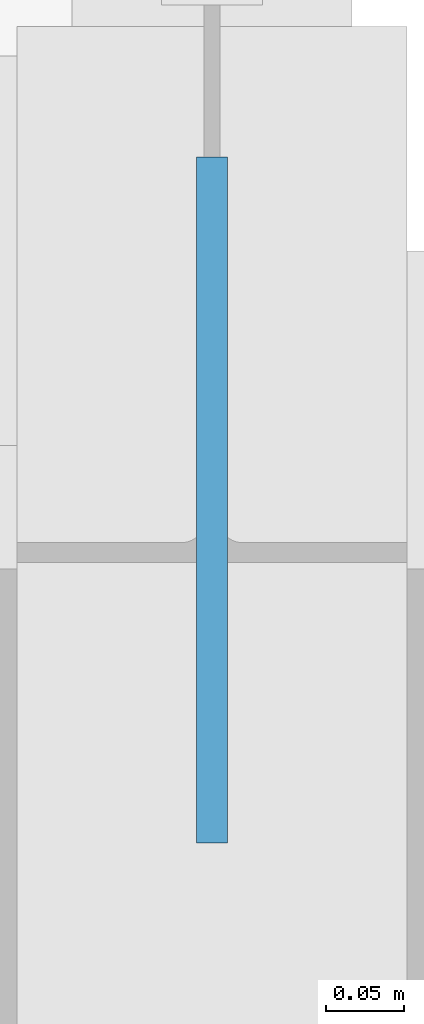
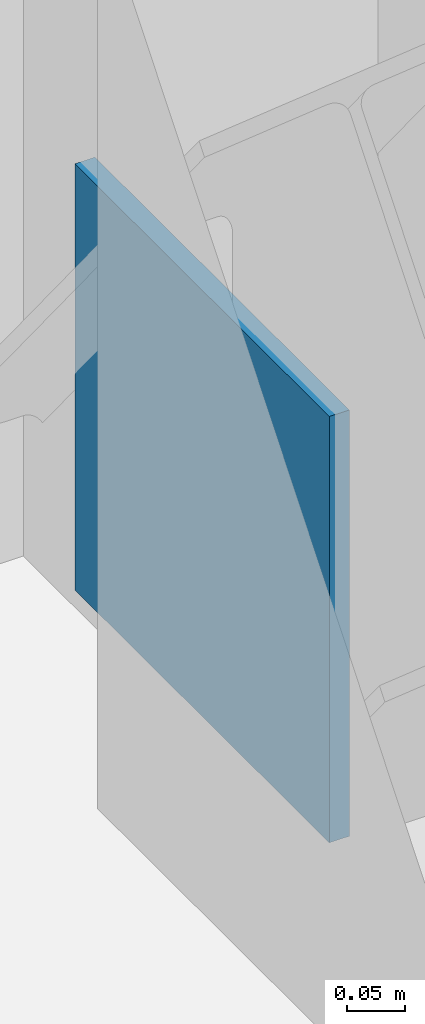
# One storey, part 69 of 83: 1 discrete accessory.
"""IFC4 building model written with IfcOpenShell, lengths in metres."""

from ifc_helpers import new_model, si_unit, direction, frame, origin, origin_2d, place, context, subcontext, project, spatial, rectangle, extrude, material, layer, layer_set, type_object, element, save


model = new_model("IFC4")

# Units and contexts
model_context = context("Model", 3, precision=1e-05, world=origin(), true_north=direction((0.0, 1.0)))
body_context = subcontext(model_context, "Body", "Model", "MODEL_VIEW")
ifc_project = project(units=[si_unit("LENGTHUNIT", "METRE"), si_unit("AREAUNIT", "SQUARE_METRE"), si_unit("VOLUMEUNIT", "CUBIC_METRE"), si_unit("PLANEANGLEUNIT", "RADIAN"), si_unit("MASSUNIT", "GRAM", prefix="KILO")], contexts=[model_context])

# Site, building, storey
site_placement = place(None, origin())
site = spatial("IfcSite", under=ifc_project, at=site_placement, CompositionType="ELEMENT")
building_placement = place(site_placement, origin())
building = spatial("IfcBuilding", under=site, at=building_placement, Name="Varnakota Square Police Headquarters", CompositionType="ELEMENT")
storey_placement = place(building_placement, frame((0.0, 0.0, 18.0)))
storey = spatial("IfcBuildingStorey", under=building, at=storey_placement, Name="L04", CompositionType="ELEMENT", Elevation=18.0)

# Discrete accessory
ifc_material = material(Name="Steel IS 2062 Grade 350", Category="steel")
ifc_layer = layer(ifc_material, 0.64990234375, Name="Steel IS 2062 Grade 350")
ifc_layer_set = layer_set([ifc_layer], Name="Steel IS 2062 Grade 350")
discrete_accessory_type = type_object("IfcDiscreteAccessoryType", Name="ACC-EMB-350", PredefinedType="BRACKET", material=ifc_layer_set)
discrete_accessory_placement = place(storey_placement, frame((42.0, 32.840087890625, 0.02490234375), z_axis=(0.0, 0.0, 1.0), x_axis=(0.0, 1.0, 0.0)))
element("IfcDiscreteAccessory", 1, at=discrete_accessory_placement, inside=storey, type_object=discrete_accessory_type, Name="Brace gusset connection plate BF3 L04 R", PredefinedType="BRACKET", context=body_context, shape_type="SweptSolid", body=[
    extrude(rectangle(XDim=0.43994140625, YDim=0.02001953125, at=origin_2d()), origin(), (0.0, 0.0, 1.0), 0.449951171875),
])

save(model, "model.ifc")
